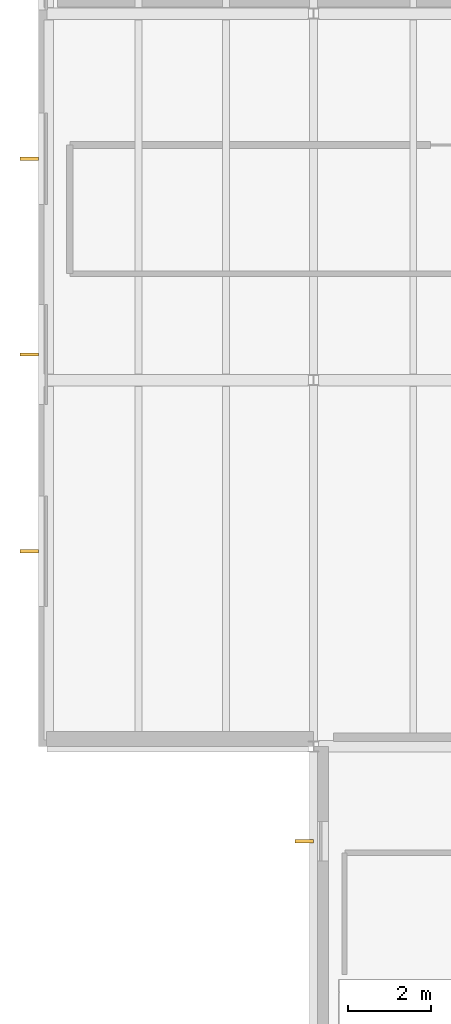
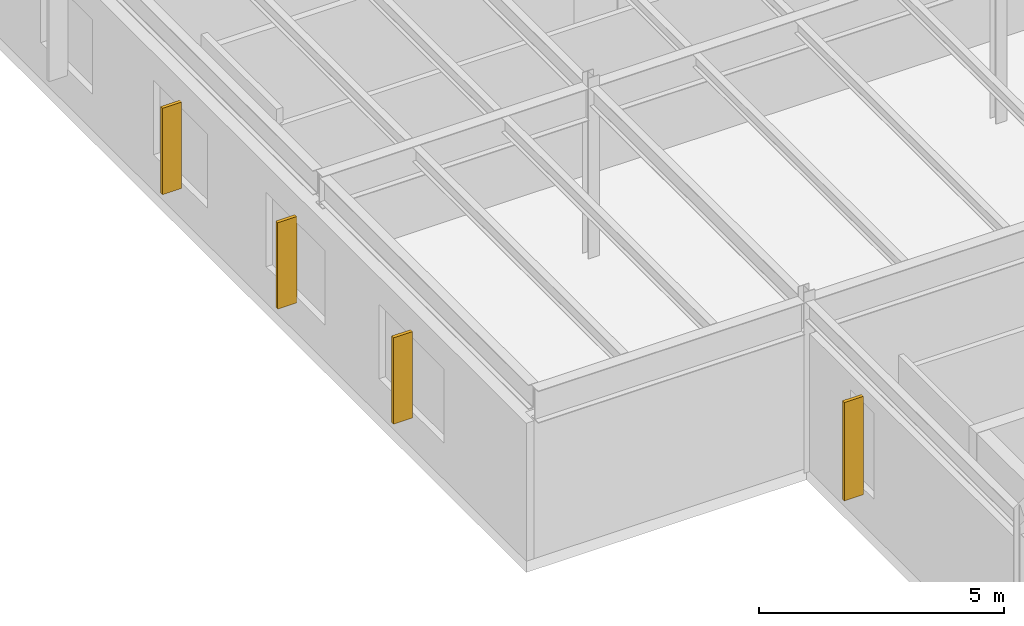
# One storey, part 59 of 69: 4 shading devices.
"""IFC4 building model written with IfcOpenShell, lengths in metres."""

from ifc_helpers import new_model, si_unit, direction, frame, origin, origin_2d, place, context, subcontext, project, spatial, rectangle, extrude, material, type_object, element, save


model = new_model("IFC4")

# Units and contexts
model_context = context("Model", 3, precision=1e-05, world=origin(), true_north=direction((0.0, 1.0)))
body_context = subcontext(model_context, "Body", "Model", "MODEL_VIEW")
ifc_project = project(units=[si_unit("LENGTHUNIT", "METRE"), si_unit("AREAUNIT", "SQUARE_METRE"), si_unit("VOLUMEUNIT", "CUBIC_METRE"), si_unit("PLANEANGLEUNIT", "RADIAN"), si_unit("MASSUNIT", "GRAM", prefix="KILO")], contexts=[model_context])

# Site, building, storey
site_placement = place(None, origin())
site = spatial("IfcSite", under=ifc_project, at=site_placement, CompositionType="ELEMENT")
building_placement = place(site_placement, origin())
building = spatial("IfcBuilding", under=site, at=building_placement, Name="Sarnbrook Museum", CompositionType="ELEMENT")
storey_placement = place(building_placement, frame((0.0, 0.0, 14.60009765625)))
storey = spatial("IfcBuildingStorey", under=building, at=storey_placement, Name="L03", CompositionType="ELEMENT", Elevation=14.60009765625)

# Shading devices
ifc_material = material(Name="Patinated Architectural Bronze")
shading_device_type = type_object("IfcShadingDeviceType", Name="SunFin_VerticalBronze", PredefinedType="USERDEFINED", material=ifc_material)
for number, where, z_axis, x_axis, name in (
    (1, (6.780029296875, 70.9140625, 0.75), (0.0, 0.0, 1.0), (1.0, 0.0, 0.0), "Vertical Bronze Sun-Shading Fin SF-014"),
    (2, (6.780029296875, 66.214111328125, 0.75), (0.0, 0.0, 1.0), (1.0, 0.0, 0.0), "Vertical Bronze Sun-Shading Fin SF-015"),
    (3, (6.780029296875, 61.489013671875, 0.75), (0.0, 0.0, 1.0), (1.0, 0.0, 0.0), "Vertical Bronze Sun-Shading Fin SF-016"),
):
    element("IfcShadingDevice", number, at=place(storey_placement, frame(where, z_axis=z_axis, x_axis=x_axis)), inside=storey, type_object=shading_device_type, Name=name, ObjectType="FIN", PredefinedType="USERDEFINED", context=body_context, shape_type="SweptSolid", body=[
        extrude(rectangle(XDim=0.449951171875, YDim=0.080078125, at=origin_2d()), origin(), (0.0, 0.0, 1.0), 2.14990234375),
    ])
shading_device_placement = place(storey_placement, frame((13.3798828125, 54.52490234375, 0.75), z_axis=(0.0, 0.0, 1.0), x_axis=(1.0, 0.0, 0.0)))
element("IfcShadingDevice", 4, at=shading_device_placement, inside=storey, type_object=shading_device_type, Name="Vertical Bronze Sun-Shading Fin SF-017", ObjectType="FIN", PredefinedType="USERDEFINED", context=body_context, shape_type="SweptSolid", body=[
    extrude(rectangle(XDim=0.449951171875, YDim=0.080078125, at=origin_2d()), origin(), (0.0, 0.0, 1.0), 2.449951171875),
])

save(model, "model.ifc")
